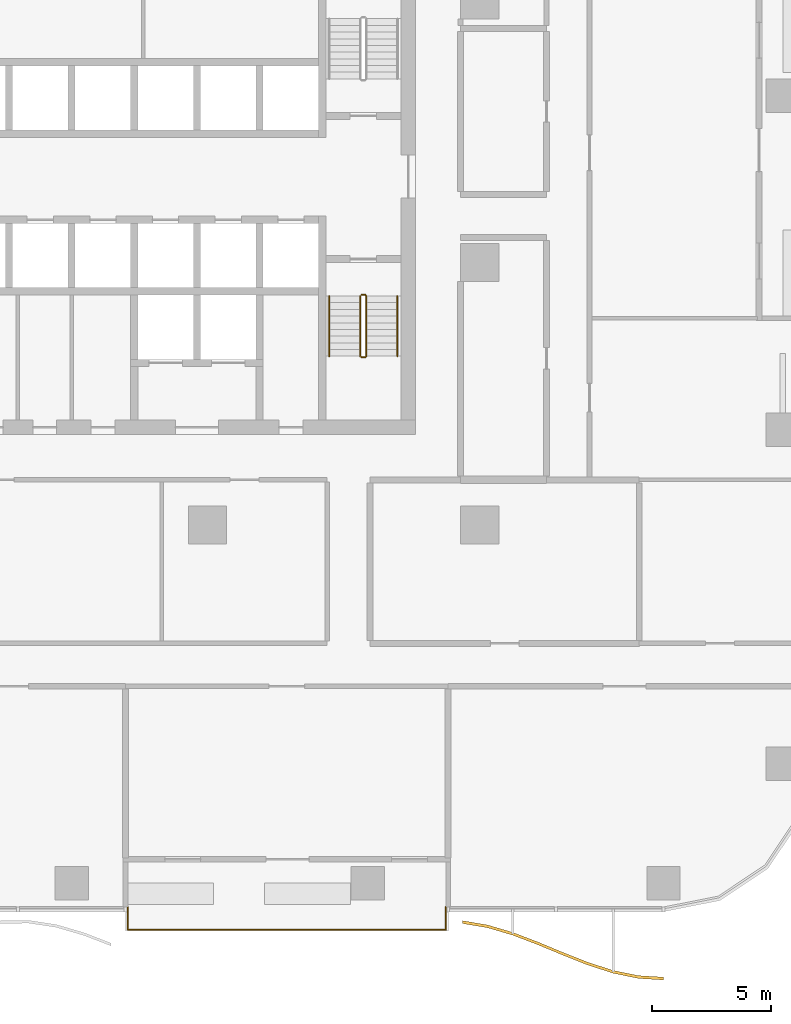
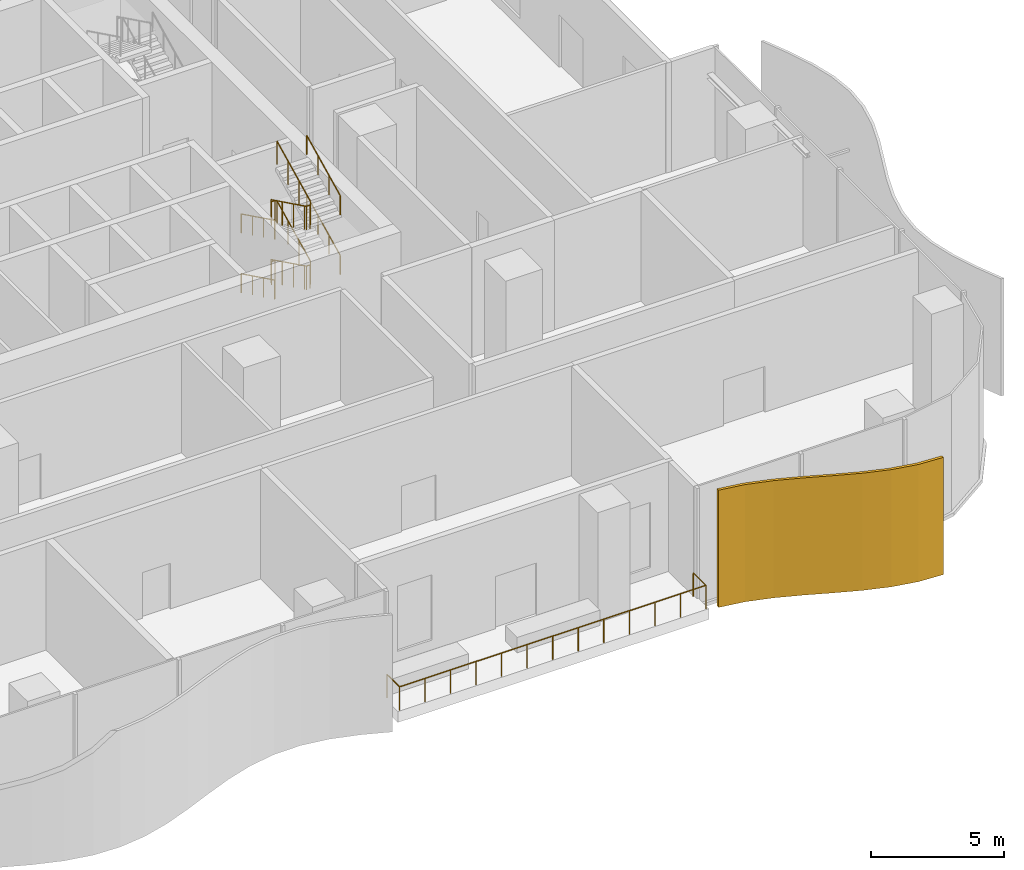
# One storey, part 16 of 20: 10 railings, 1 shading device.
"""IFC4 building model written with IfcOpenShell, lengths in metres."""

from ifc_helpers import new_model, si_unit, direction, frame, origin, origin_2d, place, context, subcontext, project, spatial, polyline, circle, outline, extrude, material, layer, layer_set, type_object, element, save


model = new_model("IFC4")

# Units and contexts
model_context = context("Model", 3, precision=1e-05, world=origin(), true_north=direction((0.0, 1.0)))
body_context = subcontext(model_context, "Body", "Model", "MODEL_VIEW")
ifc_project = project(units=[si_unit("LENGTHUNIT", "METRE"), si_unit("AREAUNIT", "SQUARE_METRE"), si_unit("VOLUMEUNIT", "CUBIC_METRE"), si_unit("PLANEANGLEUNIT", "RADIAN"), si_unit("MASSUNIT", "GRAM", prefix="KILO")], contexts=[model_context])

# Site, building, storey
site_placement = place(None, origin())
site = spatial("IfcSite", under=ifc_project, at=site_placement, CompositionType="ELEMENT")
building_placement = place(site_placement, origin())
building = spatial("IfcBuilding", under=site, at=building_placement, Name="Mopane Tessera Tower", CompositionType="ELEMENT")
storey_placement = place(building_placement, frame((0.0, 0.0, 25.5)))
storey = spatial("IfcBuildingStorey", under=building, at=storey_placement, Name="L04", CompositionType="ELEMENT", Elevation=25.5)

# Railings
ifc_material_1 = material(Name="Powder-coated steel balustrade", Category="steel")
railing_type_1 = type_object("IfcRailingType", Name="Escape stair guard 1100 mm", PredefinedType="GUARDRAIL", material=ifc_material_1)
railing_1_placement = place(storey_placement, frame((12.10009765625, -1.39990234375, 0.137451171875)))
element("IfcRailing", 1, at=railing_1_placement, inside=storey, type_object=railing_type_1, Name="L04 ST3 stair guard 1", PredefinedType="GUARDRAIL", context=body_context, shape_type="SweptSolid", body=[
    extrude(circle(Radius=0.02392578125, at=origin_2d()), frame((0.0, 0.0, 1.076171875), z_axis=(0.0, -0.897604431175, 0.440801866075), x_axis=(1.0, 0.0, 0.0)), (0.0, 0.0, 1.0), 2.807373046875),
    extrude(circle(Radius=0.02392578125, at=origin_2d()), frame((0.0, -2.52001953125, 2.3134765625), z_axis=(0.705375805398, -0.708833529934, 0.0), x_axis=(0.708833529934, 0.705375805398, 0.0)), (0.0, 0.0, 1.0), 0.070556640625),
    extrude(circle(Radius=0.02392578125, at=origin_2d()), frame((0.0498046875, -2.570068359375, 2.3134765625), z_axis=(1.0, 0.0, 0.0), x_axis=(0.0, 1.0, 0.0)), (0.0, 0.0, 1.0), 0.150146484375),
    extrude(circle(Radius=0.02099609375, at=origin_2d()), origin(), (0.0, 0.0, 1.0), 1.052001953125),
    extrude(circle(Radius=0.02099609375, at=origin_2d()), frame((0.0, -0.840087890625, 0.41259765625)), (0.0, 0.0, 1.0), 1.052001953125),
    extrude(circle(Radius=0.02099609375, at=origin_2d()), frame((0.0, -1.679931640625, 0.824951171875)), (0.0, 0.0, 1.0), 1.052001953125),
    extrude(circle(Radius=0.02099609375, at=origin_2d()), frame((0.0, -2.52001953125, 1.237548828125)), (0.0, 0.0, 1.0), 1.052001953125),
    extrude(circle(Radius=0.02099609375, at=origin_2d()), frame((0.0498046875, -2.570068359375, 1.237548828125)), (0.0, 0.0, 1.0), 1.052001953125),
    extrude(circle(Radius=0.02099609375, at=origin_2d()), frame((0.199951171875, -2.570068359375, 1.237548828125)), (0.0, 0.0, 1.0), 1.052001953125),
])
railing_2_placement = place(storey_placement, frame((12.35009765625, -3.919921875, 1.512451171875)))
element("IfcRailing", 2, at=railing_2_placement, inside=storey, type_object=railing_type_1, Name="L04 ST3 stair guard 2", PredefinedType="GUARDRAIL", context=body_context, shape_type="SweptSolid", body=[
    extrude(circle(Radius=0.02392578125, at=origin_2d()), frame((0.0, 0.0, 1.076171875), z_axis=(0.0, 0.897604431175, 0.440801866075), x_axis=(-1.0, 0.0, 0.0)), (0.0, 0.0, 1.0), 2.807373046875),
    extrude(circle(Radius=0.02392578125, at=origin_2d()), frame((0.0, 2.52001953125, 2.3134765625), z_axis=(-0.708833529934, 0.705375805398, 0.0), x_axis=(-0.705375805398, -0.708833529934, 0.0)), (0.0, 0.0, 1.0), 0.070556640625),
    extrude(circle(Radius=0.02392578125, at=origin_2d()), frame((-0.050048828125, 2.56982421875, 2.3134765625), z_axis=(-1.0, 0.0, 0.0), x_axis=(0.0, -1.0, 0.0)), (0.0, 0.0, 1.0), 0.150146484375),
    extrude(circle(Radius=0.02099609375, at=origin_2d()), origin(), (0.0, 0.0, 1.0), 1.052001953125),
    extrude(circle(Radius=0.02099609375, at=origin_2d()), frame((0.0, 0.840087890625, 0.41259765625)), (0.0, 0.0, 1.0), 1.052001953125),
    extrude(circle(Radius=0.02099609375, at=origin_2d()), frame((0.0, 1.679931640625, 0.824951171875)), (0.0, 0.0, 1.0), 1.052001953125),
    extrude(circle(Radius=0.02099609375, at=origin_2d()), frame((0.0, 2.52001953125, 1.237548828125)), (0.0, 0.0, 1.0), 1.052001953125),
    extrude(circle(Radius=0.02099609375, at=origin_2d()), frame((-0.050048828125, 2.56982421875, 1.237548828125)), (0.0, 0.0, 1.0), 1.052001953125),
    extrude(circle(Radius=0.02099609375, at=origin_2d()), frame((-0.2001953125, 2.56982421875, 1.237548828125)), (0.0, 0.0, 1.0), 1.052001953125),
])
railing_3_placement = place(storey_placement, frame((12.10009765625, -1.39990234375, 2.887451171875)))
element("IfcRailing", 3, at=railing_3_placement, inside=storey, type_object=railing_type_1, Name="L04 ST3 stair guard 3", PredefinedType="GUARDRAIL", context=body_context, shape_type="SweptSolid", body=[
    extrude(circle(Radius=0.02392578125, at=origin_2d()), frame((0.0, 0.0, 1.076171875), z_axis=(0.0, -0.897604431175, 0.440801866075), x_axis=(1.0, 0.0, 0.0)), (0.0, 0.0, 1.0), 2.807373046875),
    extrude(circle(Radius=0.02392578125, at=origin_2d()), frame((0.0, -2.52001953125, 2.3134765625), z_axis=(0.705375805398, -0.708833529934, 0.0), x_axis=(0.708833529934, 0.705375805398, 0.0)), (0.0, 0.0, 1.0), 0.070556640625),
    extrude(circle(Radius=0.02392578125, at=origin_2d()), frame((0.0498046875, -2.570068359375, 2.3134765625), z_axis=(1.0, 0.0, 0.0), x_axis=(0.0, 1.0, 0.0)), (0.0, 0.0, 1.0), 0.150146484375),
    extrude(circle(Radius=0.02099609375, at=origin_2d()), origin(), (0.0, 0.0, 1.0), 1.052001953125),
    extrude(circle(Radius=0.02099609375, at=origin_2d()), frame((0.0, -0.840087890625, 0.41259765625)), (0.0, 0.0, 1.0), 1.052001953125),
    extrude(circle(Radius=0.02099609375, at=origin_2d()), frame((0.0, -1.679931640625, 0.824951171875)), (0.0, 0.0, 1.0), 1.052001953125),
    extrude(circle(Radius=0.02099609375, at=origin_2d()), frame((0.0, -2.52001953125, 1.237548828125)), (0.0, 0.0, 1.0), 1.052001953125),
    extrude(circle(Radius=0.02099609375, at=origin_2d()), frame((0.0498046875, -2.570068359375, 1.237548828125)), (0.0, 0.0, 1.0), 1.052001953125),
    extrude(circle(Radius=0.02099609375, at=origin_2d()), frame((0.199951171875, -2.570068359375, 1.237548828125)), (0.0, 0.0, 1.0), 1.052001953125),
])
railing_4_placement = place(storey_placement, frame((12.35009765625, -3.919921875, 4.262451171875)))
element("IfcRailing", 4, at=railing_4_placement, inside=storey, type_object=railing_type_1, Name="L04 ST3 stair guard 4", PredefinedType="GUARDRAIL", context=body_context, shape_type="SweptSolid", body=[
    extrude(circle(Radius=0.02392578125, at=origin_2d()), frame((0.0, 0.0, 1.076171875), z_axis=(0.0, 0.897604431175, 0.440801866075), x_axis=(-1.0, 0.0, 0.0)), (0.0, 0.0, 1.0), 2.807373046875),
    extrude(circle(Radius=0.02099609375, at=origin_2d()), origin(), (0.0, 0.0, 1.0), 1.052001953125),
    extrude(circle(Radius=0.02099609375, at=origin_2d()), frame((0.0, 0.840087890625, 0.41259765625)), (0.0, 0.0, 1.0), 1.052001953125),
    extrude(circle(Radius=0.02099609375, at=origin_2d()), frame((0.0, 1.679931640625, 0.824951171875)), (0.0, 0.0, 1.0), 1.052001953125),
    extrude(circle(Radius=0.02099609375, at=origin_2d()), frame((0.0, 2.52001953125, 1.237548828125)), (0.0, 0.0, 1.0), 1.052001953125),
])
railing_5_placement = place(storey_placement, frame((12.14990234375, -1.35009765625, 0.0)))
element("IfcRailing", 5, at=railing_5_placement, inside=storey, type_object=railing_type_1, Name="L04 ST3 stair guard 5", PredefinedType="GUARDRAIL", context=body_context, shape_type="SweptSolid", body=[
    extrude(circle(Radius=0.02392578125, at=origin_2d()), frame((0.0, 0.0, 1.076171875), z_axis=(1.0, 0.0, 0.0), x_axis=(0.0, 1.0, 0.0)), (0.0, 0.0, 1.0), 0.150146484375),
    extrude(circle(Radius=0.02099609375, at=origin_2d()), origin(), (0.0, 0.0, 1.0), 1.052001953125),
    extrude(circle(Radius=0.02099609375, at=origin_2d()), frame((0.150146484375, 0.0, 0.0)), (0.0, 0.0, 1.0), 1.052001953125),
])
ifc_material_2 = material(Name="Powder-coated steel balustrade", Category="steel")
railing_type_2 = type_object("IfcRailingType", Name="Escape stair handrail 900 mm", PredefinedType="HANDRAIL", material=ifc_material_2)
railing_6_placement = place(storey_placement, frame((10.800048828125, -1.39990234375, 0.137451171875)))
element("IfcRailing", 6, at=railing_6_placement, inside=storey, type_object=railing_type_2, Name="L04 ST3 stair handrail 1", PredefinedType="HANDRAIL", context=body_context, shape_type="SweptSolid", body=[
    extrude(circle(Radius=0.02392578125, at=origin_2d()), frame((0.0, 0.0, 0.8759765625), z_axis=(0.0, -0.897604431175, 0.440801866075), x_axis=(1.0, 0.0, 0.0)), (0.0, 0.0, 1.0), 2.807373046875),
    extrude(circle(Radius=0.02099609375, at=origin_2d()), origin(), (0.0, 0.0, 1.0), 0.851806640625),
    extrude(circle(Radius=0.02099609375, at=origin_2d()), frame((0.0, -0.840087890625, 0.41259765625)), (0.0, 0.0, 1.0), 0.851806640625),
    extrude(circle(Radius=0.02099609375, at=origin_2d()), frame((0.0, -1.679931640625, 0.824951171875)), (0.0, 0.0, 1.0), 0.851806640625),
    extrude(circle(Radius=0.02099609375, at=origin_2d()), frame((0.0, -2.52001953125, 1.237548828125)), (0.0, 0.0, 1.0), 0.851806640625),
])
railing_7_placement = place(storey_placement, frame((13.64990234375, -3.919921875, 1.512451171875)))
element("IfcRailing", 7, at=railing_7_placement, inside=storey, type_object=railing_type_2, Name="L04 ST3 stair handrail 2", PredefinedType="HANDRAIL", context=body_context, shape_type="SweptSolid", body=[
    extrude(circle(Radius=0.02392578125, at=origin_2d()), frame((0.0, 0.0, 0.8759765625), z_axis=(0.0, 0.897604431175, 0.440801866075), x_axis=(-1.0, 0.0, 0.0)), (0.0, 0.0, 1.0), 2.807373046875),
    extrude(circle(Radius=0.02099609375, at=origin_2d()), origin(), (0.0, 0.0, 1.0), 0.851806640625),
    extrude(circle(Radius=0.02099609375, at=origin_2d()), frame((0.0, 0.840087890625, 0.41259765625)), (0.0, 0.0, 1.0), 0.851806640625),
    extrude(circle(Radius=0.02099609375, at=origin_2d()), frame((0.0, 1.679931640625, 0.824951171875)), (0.0, 0.0, 1.0), 0.851806640625),
    extrude(circle(Radius=0.02099609375, at=origin_2d()), frame((0.0, 2.52001953125, 1.237548828125)), (0.0, 0.0, 1.0), 0.851806640625),
])
railing_8_placement = place(storey_placement, frame((10.800048828125, -1.39990234375, 2.887451171875)))
element("IfcRailing", 8, at=railing_8_placement, inside=storey, type_object=railing_type_2, Name="L04 ST3 stair handrail 3", PredefinedType="HANDRAIL", context=body_context, shape_type="SweptSolid", body=[
    extrude(circle(Radius=0.02392578125, at=origin_2d()), frame((0.0, 0.0, 0.8759765625), z_axis=(0.0, -0.897604431175, 0.440801866075), x_axis=(1.0, 0.0, 0.0)), (0.0, 0.0, 1.0), 2.807373046875),
    extrude(circle(Radius=0.02099609375, at=origin_2d()), origin(), (0.0, 0.0, 1.0), 0.851806640625),
    extrude(circle(Radius=0.02099609375, at=origin_2d()), frame((0.0, -0.840087890625, 0.41259765625)), (0.0, 0.0, 1.0), 0.851806640625),
    extrude(circle(Radius=0.02099609375, at=origin_2d()), frame((0.0, -1.679931640625, 0.824951171875)), (0.0, 0.0, 1.0), 0.851806640625),
    extrude(circle(Radius=0.02099609375, at=origin_2d()), frame((0.0, -2.52001953125, 1.237548828125)), (0.0, 0.0, 1.0), 0.851806640625),
])
railing_9_placement = place(storey_placement, frame((13.64990234375, -3.919921875, 4.262451171875)))
element("IfcRailing", 9, at=railing_9_placement, inside=storey, type_object=railing_type_2, Name="L04 ST3 stair handrail 4", PredefinedType="HANDRAIL", context=body_context, shape_type="SweptSolid", body=[
    extrude(circle(Radius=0.02392578125, at=origin_2d()), frame((0.0, 0.0, 0.8759765625), z_axis=(0.0, 0.897604431175, 0.440801866075), x_axis=(-1.0, 0.0, 0.0)), (0.0, 0.0, 1.0), 2.807373046875),
    extrude(circle(Radius=0.02099609375, at=origin_2d()), origin(), (0.0, 0.0, 1.0), 0.851806640625),
    extrude(circle(Radius=0.02099609375, at=origin_2d()), frame((0.0, 0.840087890625, 0.41259765625)), (0.0, 0.0, 1.0), 0.851806640625),
    extrude(circle(Radius=0.02099609375, at=origin_2d()), frame((0.0, 1.679931640625, 0.824951171875)), (0.0, 0.0, 1.0), 0.851806640625),
    extrude(circle(Radius=0.02099609375, at=origin_2d()), frame((0.0, 2.52001953125, 1.237548828125)), (0.0, 0.0, 1.0), 0.851806640625),
])
ifc_material_3 = material(Name="Stainless steel S316", Category="steel")
railing_type_3 = type_object("IfcRailingType", Name="Terrace guard 1100", PredefinedType="GUARDRAIL", material=ifc_material_3)
railing_10_placement = place(storey_placement, frame((2.3544921875, -27.0, 0.0)))
element("IfcRailing", 10, at=railing_10_placement, inside=storey, type_object=railing_type_3, Name="e:nw:L04:N1:guard", PredefinedType="GUARDRAIL", context=body_context, shape_type="SweptSolid", body=[
    extrude(circle(Radius=0.02392578125, at=origin_2d()), frame((0.0, 0.0, 1.076171875), z_axis=(0.0, -1.0, 0.0), x_axis=(1.0, 0.0, 0.0)), (0.0, 0.0, 1.0), 0.949951171875),
    extrude(circle(Radius=0.02392578125, at=origin_2d()), frame((0.0, -0.949951171875, 1.076171875), z_axis=(1.0, 0.0, 0.0), x_axis=(0.0, 1.0, 0.0)), (0.0, 0.0, 1.0), 13.327392578125),
    extrude(circle(Radius=0.02392578125, at=origin_2d()), frame((13.327392578125, -0.949951171875, 1.076171875), z_axis=(0.0, 1.0, 0.0), x_axis=(-1.0, 0.0, 0.0)), (0.0, 0.0, 1.0), 0.949951171875),
    extrude(circle(Radius=0.02099609375, at=origin_2d()), origin(), (0.0, 0.0, 1.0), 1.052001953125),
    extrude(circle(Radius=0.02099609375, at=origin_2d()), frame((0.0, -0.949951171875, 0.0)), (0.0, 0.0, 1.0), 1.052001953125),
    extrude(circle(Radius=0.02099609375, at=origin_2d()), frame((1.110595703125, -0.949951171875, 0.0)), (0.0, 0.0, 1.0), 1.052001953125),
    extrude(circle(Radius=0.02099609375, at=origin_2d()), frame((2.22119140625, -0.949951171875, 0.0)), (0.0, 0.0, 1.0), 1.052001953125),
    extrude(circle(Radius=0.02099609375, at=origin_2d()), frame((3.331787109375, -0.949951171875, 0.0)), (0.0, 0.0, 1.0), 1.052001953125),
    extrude(circle(Radius=0.02099609375, at=origin_2d()), frame((4.4423828125, -0.949951171875, 0.0)), (0.0, 0.0, 1.0), 1.052001953125),
    extrude(circle(Radius=0.02099609375, at=origin_2d()), frame((5.552978515625, -0.949951171875, 0.0)), (0.0, 0.0, 1.0), 1.052001953125),
    extrude(circle(Radius=0.02099609375, at=origin_2d()), frame((6.66357421875, -0.949951171875, 0.0)), (0.0, 0.0, 1.0), 1.052001953125),
    extrude(circle(Radius=0.02099609375, at=origin_2d()), frame((7.7744140625, -0.949951171875, 0.0)), (0.0, 0.0, 1.0), 1.052001953125),
    extrude(circle(Radius=0.02099609375, at=origin_2d()), frame((8.885009765625, -0.949951171875, 0.0)), (0.0, 0.0, 1.0), 1.052001953125),
    extrude(circle(Radius=0.02099609375, at=origin_2d()), frame((9.99560546875, -0.949951171875, 0.0)), (0.0, 0.0, 1.0), 1.052001953125),
    extrude(circle(Radius=0.02099609375, at=origin_2d()), frame((11.106201171875, -0.949951171875, 0.0)), (0.0, 0.0, 1.0), 1.052001953125),
    extrude(circle(Radius=0.02099609375, at=origin_2d()), frame((12.216796875, -0.949951171875, 0.0)), (0.0, 0.0, 1.0), 1.052001953125),
    extrude(circle(Radius=0.02099609375, at=origin_2d()), frame((13.327392578125, -0.949951171875, 0.0)), (0.0, 0.0, 1.0), 1.052001953125),
    extrude(circle(Radius=0.02099609375, at=origin_2d()), frame((13.327392578125, 0.0, 0.0)), (0.0, 0.0, 1.0), 1.052001953125),
])

# Shading device
ifc_material_4 = material(Name="Anodised aluminium louvre blades", Category="aluminium")
ifc_layer = layer(ifc_material_4, 0.1201171875)
ifc_layer_set = layer_set([ifc_layer], Name="Anodised aluminium louvre blades")
shading_device_type = type_object("IfcShadingDeviceType", Name="Wave louvre screen", PredefinedType="JALOUSIE", material=ifc_layer_set)
shading_device_placement = place(storey_placement, frame((0.0, 0.0, -0.340087890625)))
element("IfcShadingDevice", 11, at=shading_device_placement, inside=storey, type_object=shading_device_type, Name="e:lv:L04:S:1", PredefinedType="JALOUSIE", context=body_context, shape_type="SweptSolid", body=[
    extrude(outline(polyline([(16.3818359375, -27.57373046875), (17.43408203125, -27.753173828125), (18.486328125, -28.064208984375), (19.53857421875, -28.46533203125), (20.5908203125, -28.9033203125), (21.64306640625, -29.3193359375), (22.695556640625, -29.657958984375), (23.747802734375, -29.874267578125), (24.800048828125, -29.939208984375), (24.800048828125, -30.059326171875), (23.747802734375, -29.994384765625), (22.695556640625, -29.778076171875), (21.64306640625, -29.439208984375), (20.5908203125, -29.023193359375), (19.53857421875, -28.58544921875), (18.486328125, -28.184326171875), (17.43408203125, -27.873291015625), (16.3818359375, -27.69384765625), (16.3818359375, -27.57373046875)])), origin(), (0.0, 0.0, 1.0), 5.39013671875),
])

save(model, "model.ifc")
